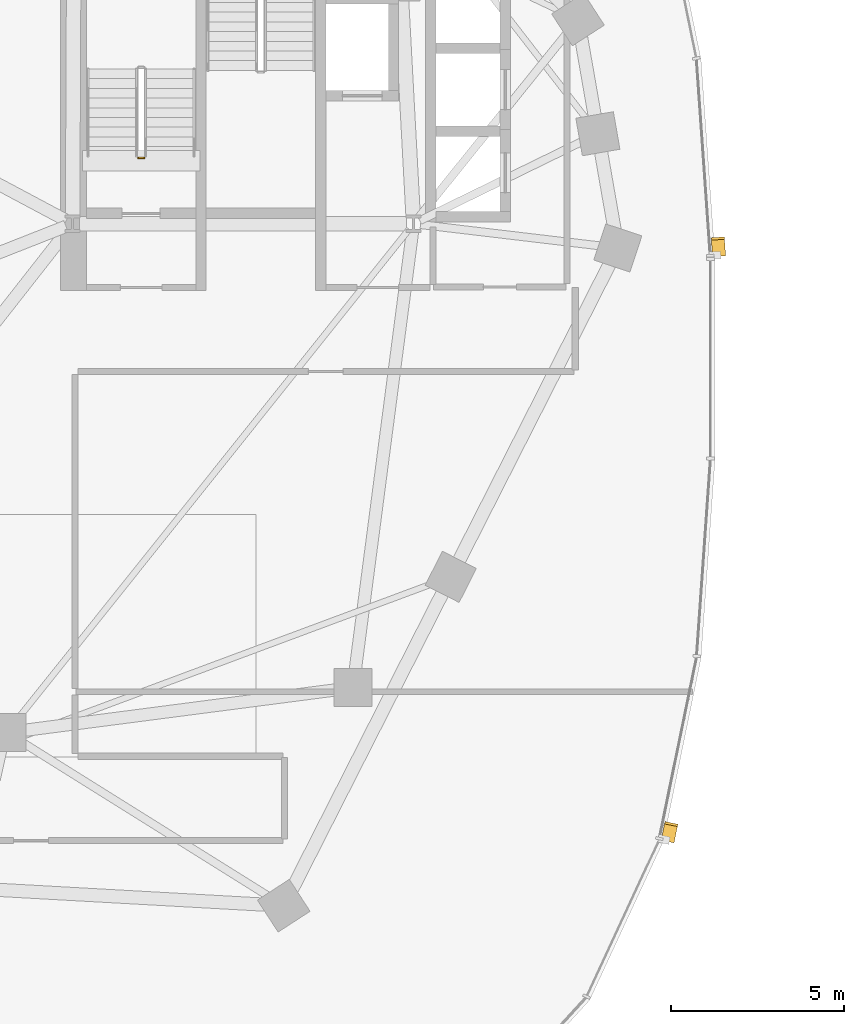
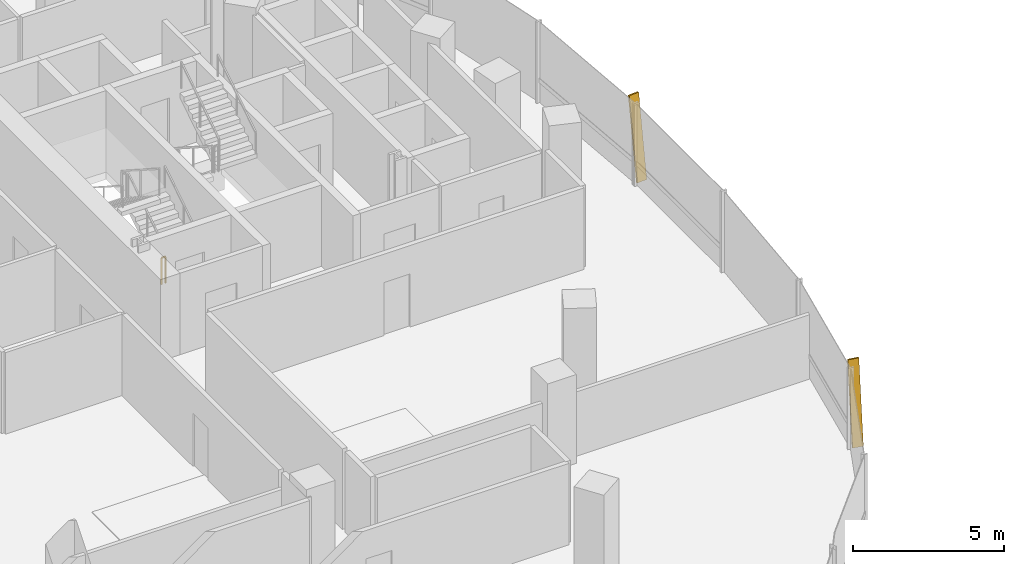
# One storey, part 18 of 21: 2 shading devices, 1 railing.
"""IFC4 building model written with IfcOpenShell, lengths in metres."""

from ifc_helpers import new_model, si_unit, direction, frame, origin, origin_2d, place, context, subcontext, project, spatial, rectangle, extrude, material, material_profile, profile_set, type_object, element, save


model = new_model("IFC4")

# Units and contexts
model_context = context("Model", 3, precision=1e-05, world=origin(), true_north=direction((0.0, 1.0)))
body_context = subcontext(model_context, "Body", "Model", "MODEL_VIEW")
ifc_project = project(units=[si_unit("LENGTHUNIT", "METRE"), si_unit("AREAUNIT", "SQUARE_METRE"), si_unit("VOLUMEUNIT", "CUBIC_METRE"), si_unit("PLANEANGLEUNIT", "RADIAN"), si_unit("MASSUNIT", "GRAM", prefix="KILO"), si_unit("THERMODYNAMICTEMPERATUREUNIT", "KELVIN"), si_unit("POWERUNIT", "WATT")], contexts=[model_context])

# Site, building, storey
site_placement = place(None, origin())
site = spatial("IfcSite", under=ifc_project, at=site_placement, CompositionType="ELEMENT")
building_placement = place(site_placement, origin())
building = spatial("IfcBuilding", under=site, at=building_placement, Name="Cundina Bronze Exchange", CompositionType="ELEMENT")
storey_placement = place(building_placement, frame((0.0, 0.0, 92.60009765625)))
storey = spatial("IfcBuildingStorey", under=building, at=storey_placement, Name="L23", CompositionType="ELEMENT", Elevation=92.60009765625)

# Railing
ifc_material_1 = material(Name="Steel ASTM A36 Painted", Category="steel")
railing_type = type_object("IfcRailingType", Name="RLG-STG-1100", PredefinedType="GUARDRAIL", material=ifc_material_1)
railing_placement = place(storey_placement, frame((-29.239990234375, 5.800048828125, 0.0)))
element("IfcRailing", 1, at=railing_placement, inside=storey, type_object=railing_type, Name="L23 ST-W1 stair guard 4", PredefinedType="GUARDRAIL", context=body_context, shape_type="SweptSolid", body=[
    extrude(rectangle(XDim=0.048095703125, YDim=0.048095703125, at=origin_2d()), frame((0.0, 0.0, 1.076171875), z_axis=(-1.0, 0.0, 0.0), x_axis=(0.0, -1.0, 0.0)), (0.0, 0.0, 1.0), 0.159912109375),
    extrude(rectangle(XDim=0.0419921875, YDim=0.0419921875, at=origin_2d()), origin(), (0.0, 0.0, 1.0), 1.052001953125),
    extrude(rectangle(XDim=0.0419921875, YDim=0.0419921875, at=origin_2d()), frame((-0.159912109375, 0.0, 0.0)), (0.0, 0.0, 1.0), 1.052001953125),
])

# Shading devices
ifc_material_2 = material(Name="Anodised Bronze Aluminium 6063-T6", Category="aluminium")
ifc_material_profile = material_profile(ifc_material_2, rectangle(XDim=0.070068359375, YDim=0.3798828125, at=origin_2d()), Name="FIN70X380", Category="aluminium")
ifc_profile_set = profile_set([ifc_material_profile], Name="Anodised Bronze Aluminium 6063-T6")
shading_device_type = type_object("IfcShadingDeviceType", Name="SHD-FIN-BRZ380", PredefinedType="USERDEFINED", material=ifc_profile_set)
for number, where, z_axis, x_axis, name in (
    (2, (-12.6259765625, 2.993896484375, 0.02001953125), (-0.01022529535, 0.145302928853, 0.989334373304), (0.069449940286, -0.986893716667, 0.145662273078), "L23 Diagonal Bronze Solar Fin 1"),
    (3, (-14.10400390625, -13.911865234375, 0.02001953125), (0.029416044726, 0.142708569627, 0.98932752942), (-0.199727902789, -0.968957029654, 0.14570874899), "L23 Diagonal Bronze Solar Fin 5"),
):
    element("IfcShadingDevice", number, at=place(storey_placement, frame(where, z_axis=z_axis, x_axis=x_axis)), inside=storey, type_object=shading_device_type, Name=name, ObjectType="FIN", PredefinedType="USERDEFINED", context=body_context, shape_type="SweptSolid", body=[
        extrude(rectangle(XDim=0.070068359375, YDim=0.3798828125, at=origin_2d()), origin(), (0.0, 0.0, 1.0), 3.294921875),
    ])

save(model, "model.ifc")
